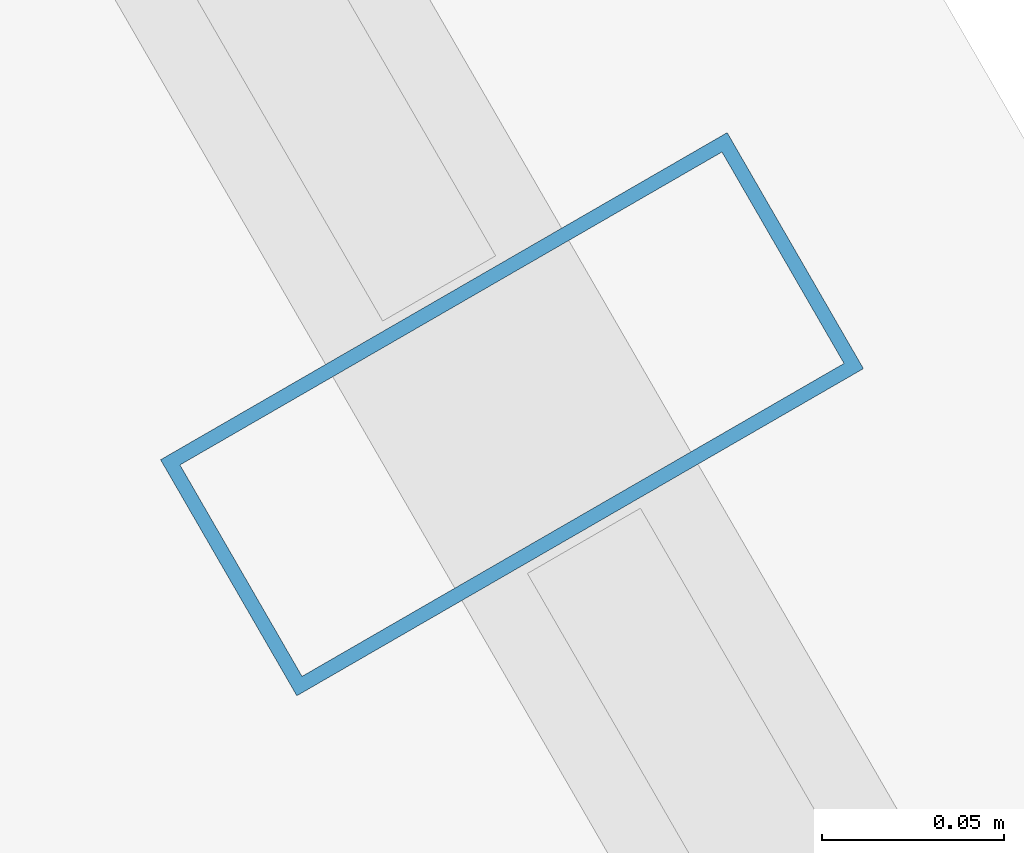
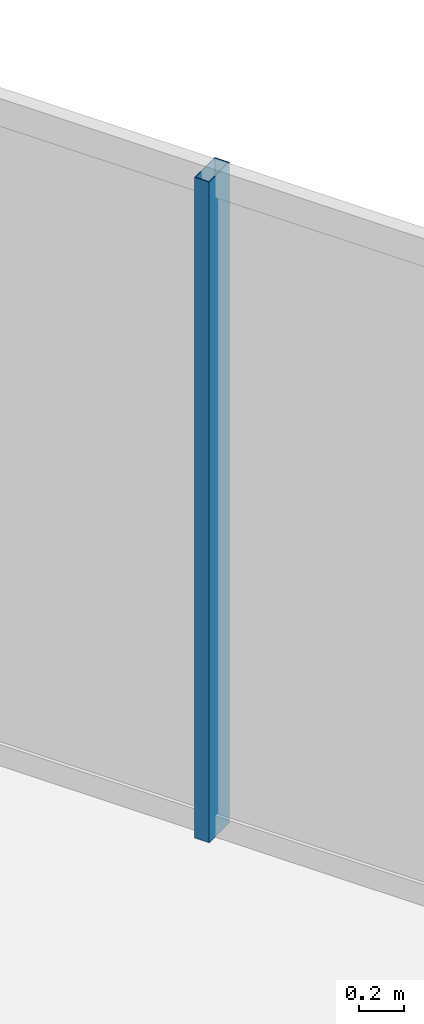
# One storey, part 19 of 32: 1 member, 1 element without a shape of its own.
"""IFC4 building model written with IfcOpenShell, lengths in metres."""

from ifc_helpers import new_model, si_unit, direction, frame, origin, origin_2d, place, context, subcontext, project, spatial, hollow_rectangle, extrude, material, layer, layer_set, material_profile, profile_set, type_object, element, aggregate, save


model = new_model("IFC4")

# Units and contexts
model_context = context("Model", 3, precision=1e-05, world=origin(), true_north=direction((0.0, 1.0)))
body_context = subcontext(model_context, "Body", "Model", "MODEL_VIEW")
ifc_project = project(units=[si_unit("LENGTHUNIT", "METRE"), si_unit("AREAUNIT", "SQUARE_METRE"), si_unit("VOLUMEUNIT", "CUBIC_METRE"), si_unit("PLANEANGLEUNIT", "RADIAN"), si_unit("MASSUNIT", "GRAM", prefix="KILO")], contexts=[model_context])

# Site, building, storey
site_placement = place(None, origin())
site = spatial("IfcSite", under=ifc_project, at=site_placement, CompositionType="ELEMENT")
building_placement = place(site_placement, origin())
building = spatial("IfcBuilding", under=site, at=building_placement, Name="Ndaravel Arena Tower", CompositionType="ELEMENT")
storey_placement = place(building_placement, frame((0.0, 0.0, 130.800048828125)))
storey = spatial("IfcBuildingStorey", under=building, at=storey_placement, Name="L30", CompositionType="ELEMENT", Elevation=130.800048828125)

# Curtain wall, member
ifc_material_1 = material(Name="Aluminium", Category="aluminium")
ifc_layer = layer(ifc_material_1, 0.179931640625)
ifc_layer_set = layer_set([ifc_layer], Name="Aluminium")
curtain_wall_type = type_object("IfcCurtainWallType", Name="CW-SYS-03", PredefinedType="NOTDEFINED", material=ifc_layer_set)
curtain_wall_placement = place(storey_placement, origin())
curtain_wall = element("IfcCurtainWall", 1, at=curtain_wall_placement, inside=storey, type_object=curtain_wall_type, Name="L30 Faceted Crystal Curtain Wall CW-L30-E03", PredefinedType="NOTDEFINED")
ifc_material_2 = material(Name="Aluminium", Category="aluminium")
ifc_material_profile = material_profile(ifc_material_2, hollow_rectangle(XDim=0.074951171875, YDim=0.179931640625, WallThickness=0.00390625, at=origin_2d()), Name="CW MULLION 75x180x4")
ifc_profile_set = profile_set([ifc_material_profile], Name="Aluminium")
member_type = type_object("IfcMemberType", Name="MEM-CW-MUL180", PredefinedType="MULLION", material=ifc_profile_set)
member_placement = place(storey_placement, frame((54.70849609375, 34.7255859375, 0.0), z_axis=(0.0, 0.0, 1.0), x_axis=(-0.5, 0.866025403784, 0.0)))
member = element("IfcMember", 2, at=member_placement, type_object=member_type, Name="CW-L30-E03 Mullion 05", PredefinedType="MULLION", context=body_context, shape_type="SweptSolid", body=[
    extrude(hollow_rectangle(XDim=0.074951171875, YDim=0.179931640625, WallThickness=0.00390625, at=origin_2d()), origin(), (0.0, 0.0, 1.0), 3.579833984375),
])
aggregate(curtain_wall, [member])

save(model, "model.ifc")
